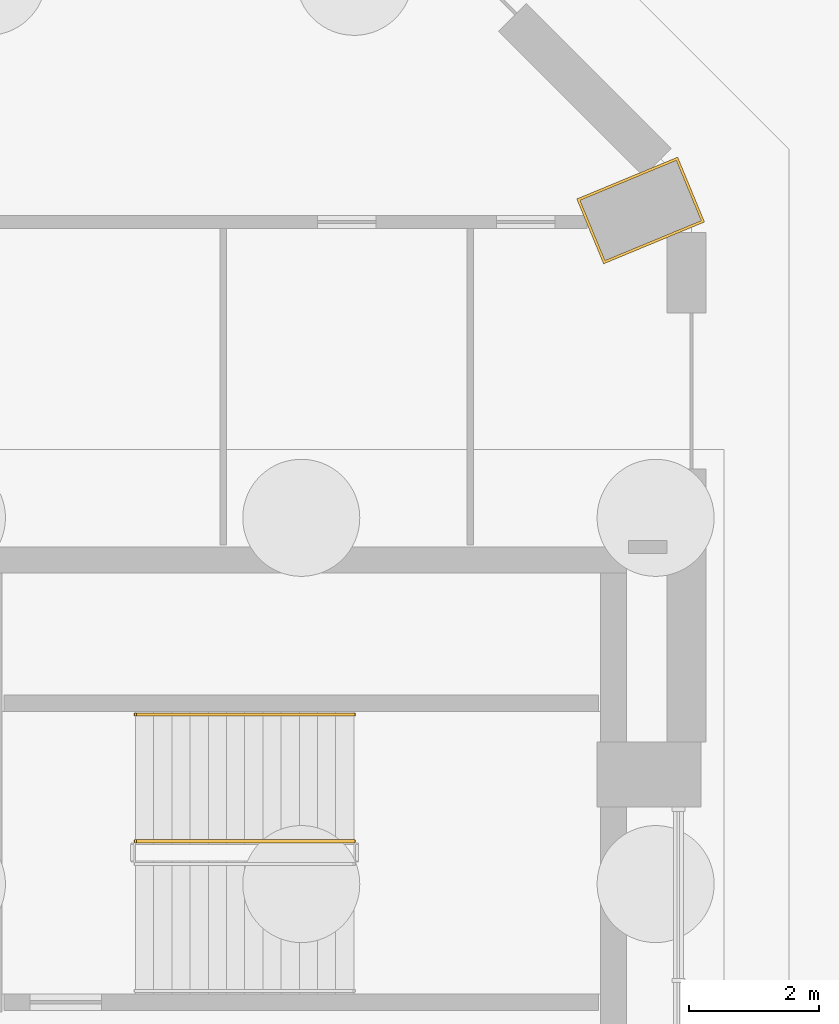
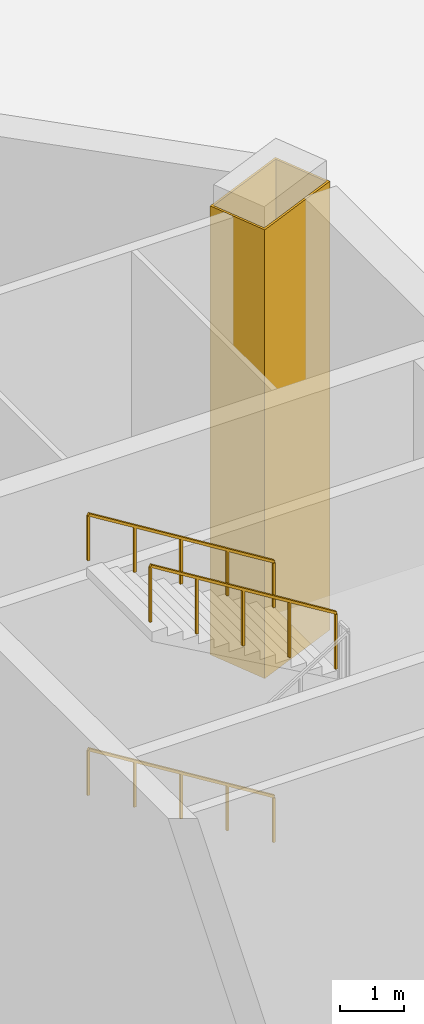
# One storey, part 23 of 25: 3 railings, 1 covering.
"""IFC4 building model written with IfcOpenShell, lengths in metres."""

from ifc_helpers import new_model, si_unit, direction, frame, origin, origin_2d, place, context, subcontext, project, spatial, polyline, rectangle, outline, extrude, material, layer, layer_set, type_object, element, save


model = new_model("IFC4")

# Units and contexts
model_context = context("Model", 3, precision=1e-05, world=origin(), true_north=direction((0.0, 1.0)))
body_context = subcontext(model_context, "Body", "Model", "MODEL_VIEW")
ifc_project = project(units=[si_unit("LENGTHUNIT", "METRE"), si_unit("AREAUNIT", "SQUARE_METRE"), si_unit("VOLUMEUNIT", "CUBIC_METRE"), si_unit("PLANEANGLEUNIT", "RADIAN"), si_unit("MASSUNIT", "GRAM", prefix="KILO")], contexts=[model_context])

# Site, building, storey
site_placement = place(None, origin())
site = spatial("IfcSite", under=ifc_project, at=site_placement, CompositionType="ELEMENT")
building_placement = place(site_placement, origin())
building = spatial("IfcBuilding", under=site, at=building_placement, Name="Cypress Arch Tower", CompositionType="ELEMENT")
storey_placement = place(building_placement, origin())
storey = spatial("IfcBuildingStorey", under=building, at=storey_placement, Name="L00", CompositionType="ELEMENT", Elevation=0.0)

# Covering
ifc_material_1 = material(Name="Painted plasterboard column casing")
ifc_layer = layer(ifc_material_1, 0.0400390625)
ifc_layer_set = layer_set([ifc_layer], Name="Column casing CK40")
covering_type = type_object("IfcCoveringType", Name="Column casing CK40", PredefinedType="CLADDING", material=ifc_layer_set)
covering_placement = place(storey_placement, origin())
element("IfcCovering", 1, at=covering_placement, inside=storey, type_object=covering_type, Name="Column casing L00 CP14", PredefinedType="CLADDING", context=body_context, shape_type="SweptSolid", body=[
    extrude(outline(polyline([(39.2021484375, 12.999267578125), (37.650146484375, 12.3564453125), (37.23681640625, 13.354248046875), (38.7890625, 13.9970703125), (39.2021484375, 12.999267578125)]), holes=[polyline([(39.14990234375, 13.02099609375), (38.767333984375, 13.94482421875), (37.2890625, 13.33251953125), (37.671875, 12.40869140625), (39.14990234375, 13.02099609375)])]), origin(), (0.0, 0.0, 1.0), 8.597900390625),
])

# Railings
ifc_material_2 = material(Name="Black powder-coated steel square bar 48 mm", Category="steel")
railing_type_1 = type_object("IfcRailingType", Name="Stair handrail HR1", PredefinedType="HANDRAIL", material=ifc_material_2)
for number, where, name in (
    (2, (33.81005859375, 5.425048828125, 2.423095703125), "L00 P3 stair handrail 2"),
    (3, (33.81005859375, 5.425048828125, 6.923095703125), "L00 P3 stair handrail 4"),
):
    element("IfcRailing", number, at=place(storey_placement, frame(where)), inside=storey, type_object=railing_type_1, Name=name, PredefinedType="HANDRAIL", context=body_context, shape_type="SweptSolid", body=[
        extrude(rectangle(XDim=0.048095703125, YDim=0.048095703125, at=origin_2d()), frame((0.0, 0.0, 0.8759765625), z_axis=(-0.850623216509, 0.0, 0.525775754039), x_axis=(0.0, -1.0, 0.0)), (0.0, 0.0, 1.0), 3.9501953125),
        extrude(rectangle(XDim=0.0419921875, YDim=0.0419921875, at=origin_2d()), origin(), (0.0, 0.0, 1.0), 0.851806640625),
        extrude(rectangle(XDim=0.0419921875, YDim=0.0419921875, at=origin_2d()), frame((-0.840087890625, 0.0, 0.519287109375)), (0.0, 0.0, 1.0), 0.851806640625),
        extrude(rectangle(XDim=0.0419921875, YDim=0.0419921875, at=origin_2d()), frame((-1.68017578125, 0.0, 1.03857421875)), (0.0, 0.0, 1.0), 0.851806640625),
        extrude(rectangle(XDim=0.0419921875, YDim=0.0419921875, at=origin_2d()), frame((-2.52001953125, 0.0, 1.5576171875)), (0.0, 0.0, 1.0), 0.851806640625),
        extrude(rectangle(XDim=0.0419921875, YDim=0.0419921875, at=origin_2d()), frame((-3.360107421875, 0.0, 2.076904296875)), (0.0, 0.0, 1.0), 0.851806640625),
    ])
ifc_material_3 = material(Name="Black powder-coated steel balusters", Category="steel")
railing_type_2 = type_object("IfcRailingType", Name="Stair well guard G1", PredefinedType="GUARDRAIL", material=ifc_material_3)
railing_placement = place(storey_placement, frame((33.81005859375, 3.47509765625, 6.923095703125)))
element("IfcRailing", 4, at=railing_placement, inside=storey, type_object=railing_type_2, Name="L00 P3 stair guard 7", PredefinedType="GUARDRAIL", context=body_context, shape_type="SweptSolid", body=[
    extrude(rectangle(XDim=0.048095703125, YDim=0.048095703125, at=origin_2d()), frame((0.0, 0.0, 1.076171875), z_axis=(-0.850623216509, 0.0, 0.525775754039), x_axis=(0.0, -1.0, 0.0)), (0.0, 0.0, 1.0), 3.9501953125),
    extrude(rectangle(XDim=0.0419921875, YDim=0.0419921875, at=origin_2d()), origin(), (0.0, 0.0, 1.0), 1.052001953125),
    extrude(rectangle(XDim=0.0419921875, YDim=0.0419921875, at=origin_2d()), frame((-0.840087890625, 0.0, 0.519287109375)), (0.0, 0.0, 1.0), 1.052001953125),
    extrude(rectangle(XDim=0.0419921875, YDim=0.0419921875, at=origin_2d()), frame((-1.68017578125, 0.0, 1.03857421875)), (0.0, 0.0, 1.0), 1.052001953125),
    extrude(rectangle(XDim=0.0419921875, YDim=0.0419921875, at=origin_2d()), frame((-2.52001953125, 0.0, 1.5576171875)), (0.0, 0.0, 1.0), 1.052001953125),
    extrude(rectangle(XDim=0.0419921875, YDim=0.0419921875, at=origin_2d()), frame((-3.360107421875, 0.0, 2.076904296875)), (0.0, 0.0, 1.0), 1.052001953125),
])

save(model, "model.ifc")
